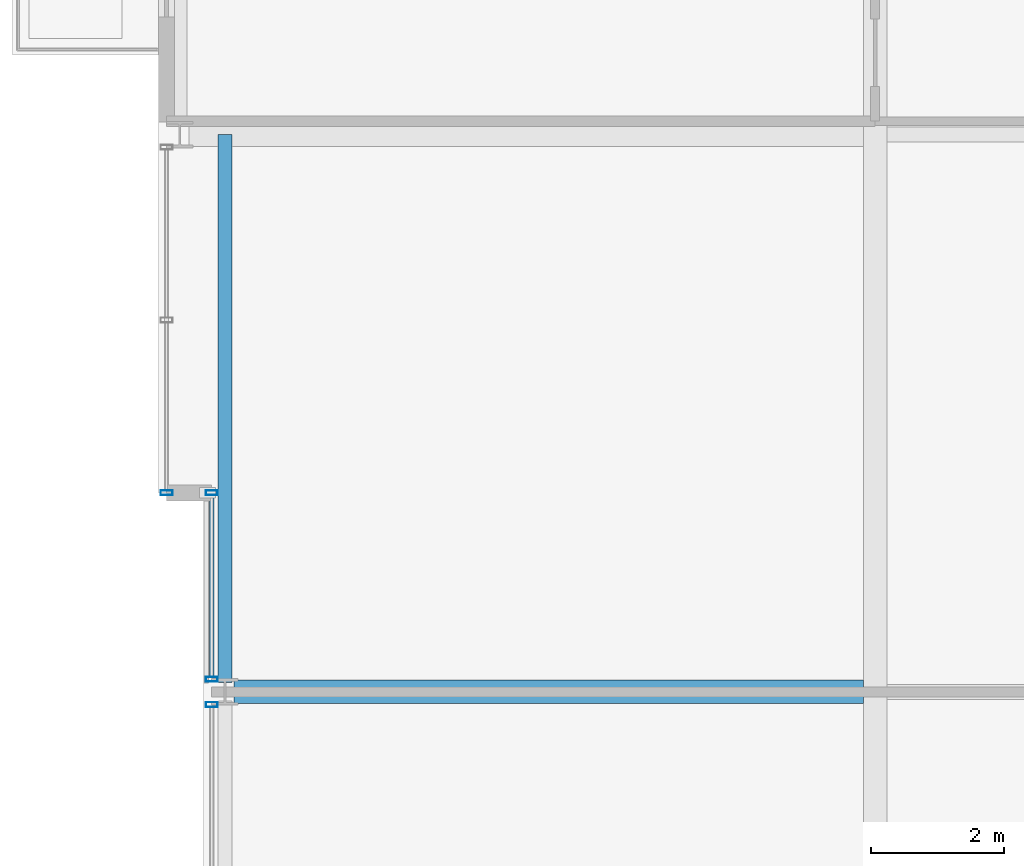
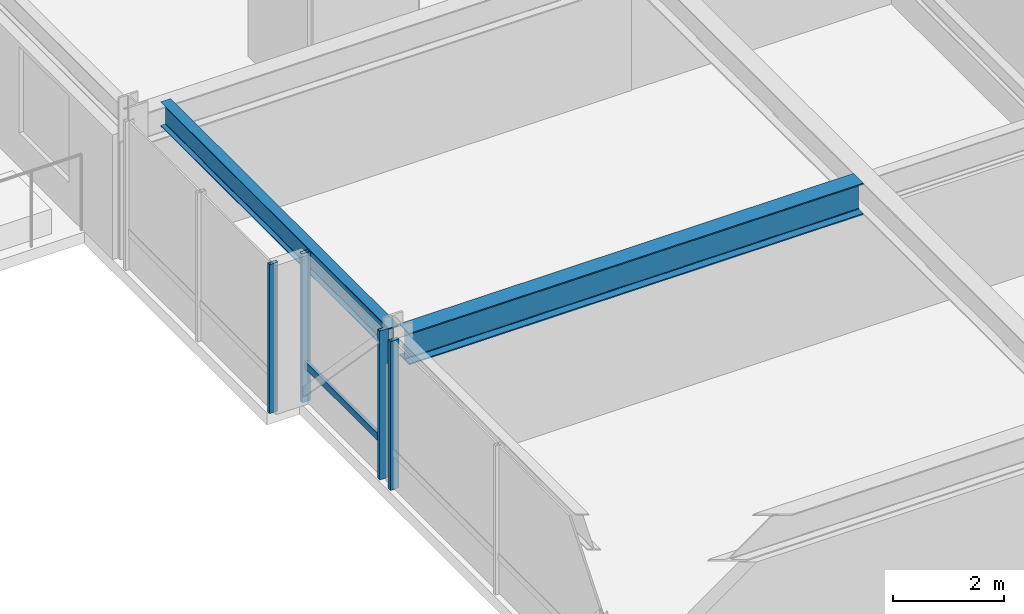
# One storey, part 9 of 32: 5 members, 2 beams, 3 elements without a shape of their own.
"""IFC4 building model written with IfcOpenShell, lengths in metres."""

from ifc_helpers import new_model, si_unit, direction, frame, origin, origin_2d, place, context, subcontext, project, spatial, hollow_rectangle, i_section, extrude, material, layer, layer_set, material_profile, profile_set, type_object, element, aggregate, save


model = new_model("IFC4")

# Units and contexts
model_context = context("Model", 3, precision=1e-05, world=origin(), true_north=direction((0.0, 1.0)))
body_context = subcontext(model_context, "Body", "Model", "MODEL_VIEW")
ifc_project = project(units=[si_unit("LENGTHUNIT", "METRE"), si_unit("AREAUNIT", "SQUARE_METRE"), si_unit("VOLUMEUNIT", "CUBIC_METRE"), si_unit("PLANEANGLEUNIT", "RADIAN"), si_unit("MASSUNIT", "GRAM", prefix="KILO")], contexts=[model_context])

# Site, building, storey
site_placement = place(None, origin())
site = spatial("IfcSite", under=ifc_project, at=site_placement, CompositionType="ELEMENT")
building_placement = place(site_placement, origin())
building = spatial("IfcBuilding", under=site, at=building_placement, Name="Drelvath Grand Hotel", CompositionType="ELEMENT")
storey_placement = place(building_placement, frame((0.0, 0.0, 182.35009765625)))
storey = spatial("IfcBuildingStorey", under=building, at=storey_placement, Name="L47", CompositionType="ELEMENT", Elevation=182.35009765625)

# Curtain wall, member
ifc_material_1 = material(Name="Brushed Pale-Silver Anodised Aluminium Frame", Category="aluminium")
ifc_layer = layer(ifc_material_1, 0.199951171875)
ifc_layer_set = layer_set([ifc_layer], Name="Brushed Pale-Silver Anodised Aluminium Frame")
curtain_wall_type = type_object("IfcCurtainWallType", Name="Stick Curtain Wall CW-04 Brushed Silver Upper-Mid", PredefinedType="NOTDEFINED", material=ifc_layer_set)
curtain_wall_1_placement = place(storey_placement, origin())
curtain_wall_1 = element("IfcCurtainWall", 1, at=curtain_wall_1_placement, inside=storey, type_object=curtain_wall_type, Name="L47 CW-04 Curtain Wall CW04-L47-WM2", PredefinedType="NOTDEFINED")
ifc_material_profile_1 = material_profile(ifc_material_1, hollow_rectangle(XDim=0.06494140625, YDim=0.159912109375, WallThickness=0.00390625, at=origin_2d()), Name="HSS160X65X4")
ifc_profile_set_1 = profile_set([ifc_material_profile_1], Name="Brushed Pale-Silver Anodised Aluminium Frame")
member_type_1 = type_object("IfcMemberType", Name="Curtain Wall Horizontal Transom CW-04 HSS160X65X4", PredefinedType="USERDEFINED", material=ifc_profile_set_1)
member_1_placement = place(storey_placement, frame((-26.199951171875, 27.231689453125, 0.822509765625), z_axis=(0.0, 1.0, 0.0), x_axis=(-1.0, 0.0, 0.0)))
member_1 = element("IfcMember", 2, at=member_1_placement, type_object=member_type_1, Name="CW04-L47-WM2 Sill Transom", ObjectType="TRANSOM", PredefinedType="USERDEFINED", context=body_context, shape_type="SweptSolid", body=[
    extrude(hollow_rectangle(XDim=0.06494140625, YDim=0.159912109375, WallThickness=0.00390625, at=origin_2d()), origin(), (0.0, 0.0, 1.0), 2.728271484375),
])

curtain_wall_2_placement = place(storey_placement, origin())
curtain_wall_2 = element("IfcCurtainWall", 3, at=curtain_wall_2_placement, inside=storey, type_object=curtain_wall_type, Name="L47 CW-04 Curtain Wall CW04-L47-WM1", PredefinedType="NOTDEFINED")
ifc_material_profile_2 = material_profile(ifc_material_1, hollow_rectangle(XDim=0.074951171875, YDim=0.179931640625, WallThickness=0.0048828125, at=origin_2d()), Name="HSS180X75X5")
ifc_profile_set_2 = profile_set([ifc_material_profile_2], Name="Brushed Pale-Silver Anodised Aluminium Frame")
member_type_2 = type_object("IfcMemberType", Name="Curtain Wall Vertical Mullion CW-04 HSS180X75X5", PredefinedType="MULLION", material=ifc_profile_set_2)
member_2_placement = place(storey_placement, frame((-26.199951171875, 26.808349609375, 0.0), z_axis=(0.0, 0.0, 1.0), x_axis=(0.0, 1.0, 0.0)))
member_2 = element("IfcMember", 4, at=member_2_placement, type_object=member_type_2, Name="CW04-L47-WM1 Mullion 3", PredefinedType="MULLION", context=body_context, shape_type="SweptSolid", body=[
    extrude(hollow_rectangle(XDim=0.074951171875, YDim=0.179931640625, WallThickness=0.0048828125, at=origin_2d()), origin(), (0.0, 0.0, 1.0), 3.289794921875),
])
aggregate(curtain_wall_2, [member_2])

# Member
member_3_placement = place(storey_placement, frame((-26.199951171875, 27.191650390625, 0.0), z_axis=(0.0, 0.0, 1.0), x_axis=(0.0, 1.0, 0.0)))
member_3 = element("IfcMember", 5, at=member_3_placement, type_object=member_type_2, Name="CW04-L47-WM2 Mullion 1", PredefinedType="MULLION", context=body_context, shape_type="SweptSolid", body=[
    extrude(hollow_rectangle(XDim=0.074951171875, YDim=0.179931640625, WallThickness=0.0048828125, at=origin_2d()), origin(), (0.0, 0.0, 1.0), 3.289794921875),
])

member_4_placement = place(storey_placement, frame((-26.199951171875, 30.0, 0.0), z_axis=(0.0, 0.0, 1.0), x_axis=(0.0, 1.0, 0.0)))
member_4 = element("IfcMember", 6, at=member_4_placement, type_object=member_type_2, Name="CW04-L47-WM2 Mullion 2", PredefinedType="MULLION", context=body_context, shape_type="SweptSolid", body=[
    extrude(hollow_rectangle(XDim=0.074951171875, YDim=0.179931640625, WallThickness=0.0048828125, at=origin_2d()), origin(), (0.0, 0.0, 1.0), 3.289794921875),
])

aggregate(curtain_wall_1, [member_3, member_4, member_1])

# Curtain wall, member
curtain_wall_3_placement = place(storey_placement, origin())
curtain_wall_3 = element("IfcCurtainWall", 7, at=curtain_wall_3_placement, inside=storey, type_object=curtain_wall_type, Name="L47 CW-04 Curtain Wall CW04-L47-WN1", PredefinedType="NOTDEFINED")
member_5_placement = place(storey_placement, frame((-26.8798828125, 30.0, 0.0), z_axis=(0.0, 0.0, 1.0), x_axis=(0.0, 1.0, 0.0)))
member_5 = element("IfcMember", 8, at=member_5_placement, type_object=member_type_2, Name="CW04-L47-WN1 Mullion 1", PredefinedType="MULLION", context=body_context, shape_type="SweptSolid", body=[
    extrude(hollow_rectangle(XDim=0.074951171875, YDim=0.179931640625, WallThickness=0.0048828125, at=origin_2d()), origin(), (0.0, 0.0, 1.0), 3.289794921875),
])
aggregate(curtain_wall_3, [member_5])

# Beams
ifc_material_2 = material(Name="Steel ASTM A992 Gr 50", Category="steel")
ifc_material_profile_3 = material_profile(ifc_material_2, i_section(OverallWidth=0.210205078125, OverallDepth=0.53662109375, WebThickness=0.010986328125, FlangeThickness=0.017333984375, FilletRadius=0.01806640625, at=origin_2d()), Name="W21X68")
ifc_profile_set_3 = profile_set([ifc_material_profile_3], Name="Steel ASTM A992 Gr 50")
beam_type_1 = type_object("IfcBeamType", Name="Perimeter Spandrel Beam W21X68", PredefinedType="SPANDREL", material=ifc_profile_set_3)
beam_1_placement = place(storey_placement, frame((-26.0, 27.139892578125, 3.021484375), z_axis=(0.0, 1.0, 0.0), x_axis=(-1.0, 0.0, 0.0)))
element("IfcBeam", 9, at=beam_1_placement, inside=storey, type_object=beam_type_1, Name="L47 Spandrel West Mid N", PredefinedType="SPANDREL", context=body_context, shape_type="SweptSolid", body=[
    extrude(i_section(OverallWidth=0.210205078125, OverallDepth=0.53662109375, WebThickness=0.010986328125, FlangeThickness=0.017333984375, FilletRadius=0.01806640625, at=origin_2d()), origin(), (0.0, 0.0, 1.0), 8.260009765625),
])
ifc_material_profile_4 = material_profile(ifc_material_2, i_section(OverallWidth=0.354736328125, OverallDepth=0.695556640625, WebThickness=0.015380859375, FlangeThickness=0.025146484375, FilletRadius=0.02392578125, at=origin_2d()), Name="W27X146")
ifc_profile_set_4 = profile_set([ifc_material_profile_4], Name="Steel ASTM A992 Gr 50")
beam_type_2 = type_object("IfcBeamType", Name="Primary Floor Girder W27X146", PredefinedType="BEAM", material=ifc_profile_set_4)
beam_2_placement = place(storey_placement, frame((-25.860107421875, 27.0, 2.942138671875), z_axis=(1.0, 0.0, 0.0), x_axis=(0.0, 1.0, 0.0)))
element("IfcBeam", 10, at=beam_2_placement, inside=storey, type_object=beam_type_2, Name="L47 West Wing Girder E", PredefinedType="BEAM", context=body_context, shape_type="SweptSolid", body=[
    extrude(i_section(OverallWidth=0.354736328125, OverallDepth=0.695556640625, WebThickness=0.015380859375, FlangeThickness=0.025146484375, FilletRadius=0.02392578125, at=origin_2d()), origin(), (0.0, 0.0, 1.0), 9.482666015625),
])

save(model, "model.ifc")
